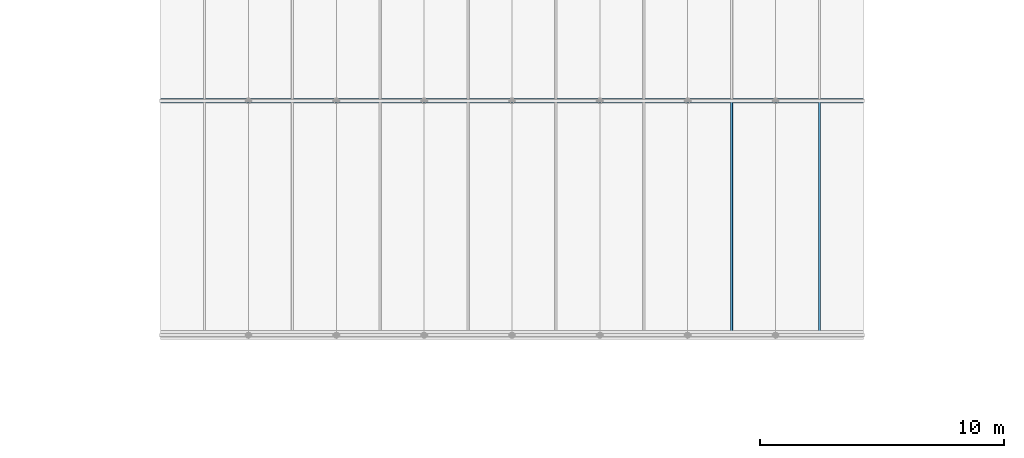
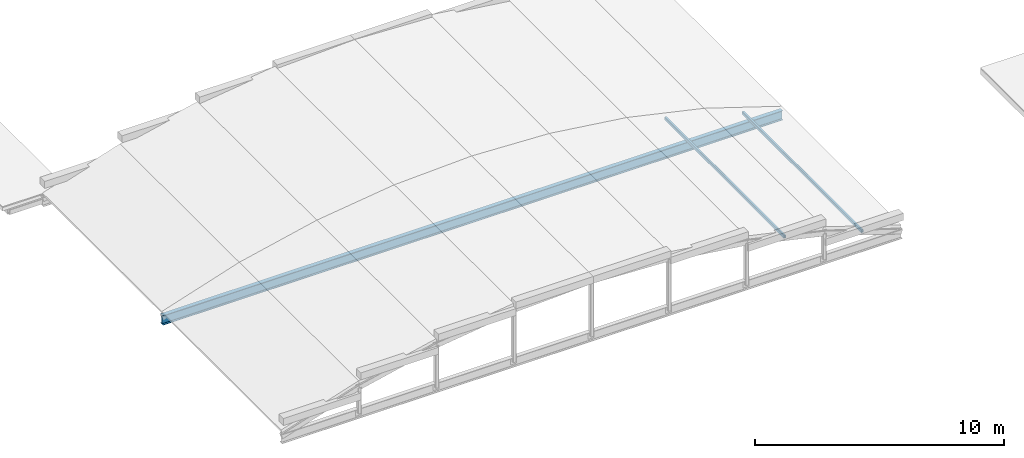
# One storey, part 10 of 70: 2 members, 1 beam.
"""IFC4 building model written with IfcOpenShell, lengths in metres."""

from ifc_helpers import new_model, si_unit, direction, frame, origin, origin_2d, place, context, subcontext, project, spatial, hollow_rectangle, i_section, extrude, material, material_profile, profile_set, type_object, element, save


model = new_model("IFC4")

# Units and contexts
model_context = context("Model", 3, precision=1e-05, world=origin(), true_north=direction((0.0, 1.0)))
body_context = subcontext(model_context, "Body", "Model", "MODEL_VIEW")
ifc_project = project(units=[si_unit("LENGTHUNIT", "METRE"), si_unit("AREAUNIT", "SQUARE_METRE"), si_unit("VOLUMEUNIT", "CUBIC_METRE"), si_unit("PLANEANGLEUNIT", "RADIAN"), si_unit("MASSUNIT", "GRAM", prefix="KILO")], contexts=[model_context])

# Site, building, storey
site_placement = place(None, origin())
site = spatial("IfcSite", under=ifc_project, at=site_placement, CompositionType="ELEMENT")
building_placement = place(site_placement, origin())
building = spatial("IfcBuilding", under=site, at=building_placement, Name="Mavantir Sound Aquarium", CompositionType="ELEMENT")
storey_placement = place(building_placement, frame((0.0, 0.0, 27.0)))
storey = spatial("IfcBuildingStorey", under=building, at=storey_placement, Name="RF", CompositionType="ELEMENT", Elevation=27.0)

# Beam
ifc_material_1 = material(Name="Structural Steel ASTM A992 Gr50", Category="steel")
ifc_material_profile_1 = material_profile(ifc_material_1, i_section(OverallWidth=0.194091796875, OverallDepth=0.468994140625, WebThickness=0.0126953125, FlangeThickness=0.0205078125, FilletRadius=0.01611328125, at=origin_2d()), Name="W460X106")
ifc_profile_set_1 = profile_set([ifc_material_profile_1], Name="Structural Steel ASTM A992 Gr50")
beam_type = type_object("IfcBeamType", Name="BM-W460X106-I", PredefinedType="BEAM", material=ifc_profile_set_1)
beam_placement = place(storey_placement, frame((67.199951171875, 24.0, -16.72998046875), z_axis=(1.0, 0.0, 0.0), x_axis=(0.0, 1.0, 0.0)))
element("IfcBeam", 1, at=beam_placement, inside=storey, type_object=beam_type, Name="V7 entry vault tie girder 65", PredefinedType="BEAM", context=body_context, shape_type="SweptSolid", body=[
    extrude(i_section(OverallWidth=0.194091796875, OverallDepth=0.468994140625, WebThickness=0.0126953125, FlangeThickness=0.0205078125, FilletRadius=0.01611328125, at=origin_2d()), origin(), (0.0, 0.0, 1.0), 28.800048828125),
])

# Members
ifc_material_2 = material(Name="Hollow Structural Steel ASTM A500 GrC", Category="steel")
ifc_material_profile_2 = material_profile(ifc_material_2, hollow_rectangle(XDim=0.10009765625, YDim=0.14990234375, WallThickness=0.008056640625, InnerFilletRadius=0.008056640625, OuterFilletRadius=0.01611328125, at=origin_2d()), Name="RHS 150X100X8")
ifc_profile_set_2 = profile_set([ifc_material_profile_2], Name="Hollow Structural Steel ASTM A500 GrC")
member_type = type_object("IfcMemberType", Name="MEM-BR-RHS150", PredefinedType="PURLIN", material=ifc_profile_set_2)
for number, where, z_axis, x_axis, name in (
    (2, (90.60009765625, 14.39990234375, -15.033203125), (0.0, 1.0, 0.0), (-1.0, 0.0, 0.0), "V7 entry vault purlin 103"),
    (3, (94.199951171875, 14.39990234375, -16.02490234375), (0.0, 1.0, 0.0), (-1.0, 0.0, 0.0), "V7 entry vault purlin 104"),
):
    element("IfcMember", number, at=place(storey_placement, frame(where, z_axis=z_axis, x_axis=x_axis)), inside=storey, type_object=member_type, Name=name, PredefinedType="PURLIN", context=body_context, shape_type="SweptSolid", body=[
        extrude(hollow_rectangle(XDim=0.10009765625, YDim=0.14990234375, WallThickness=0.008056640625, InnerFilletRadius=0.008056640625, OuterFilletRadius=0.01611328125, at=origin_2d()), origin(), (0.0, 0.0, 1.0), 9.60009765625),
    ])

save(model, "model.ifc")
